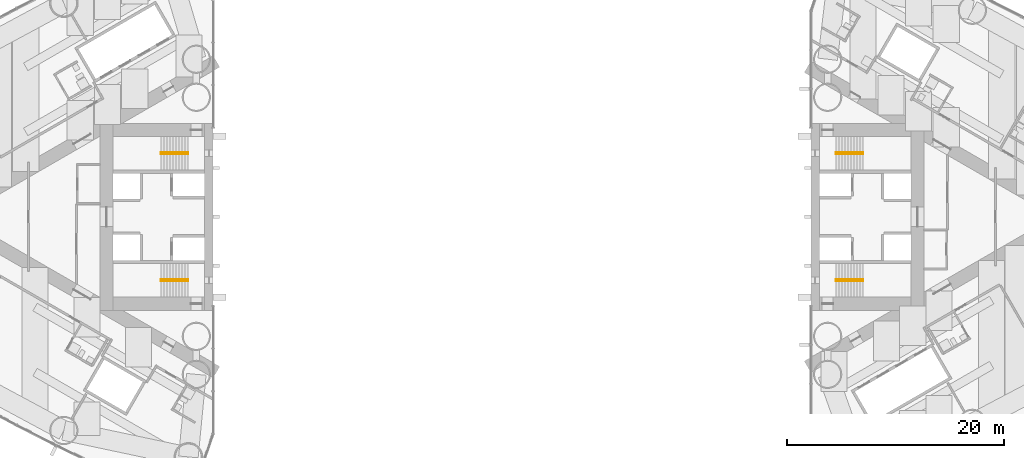
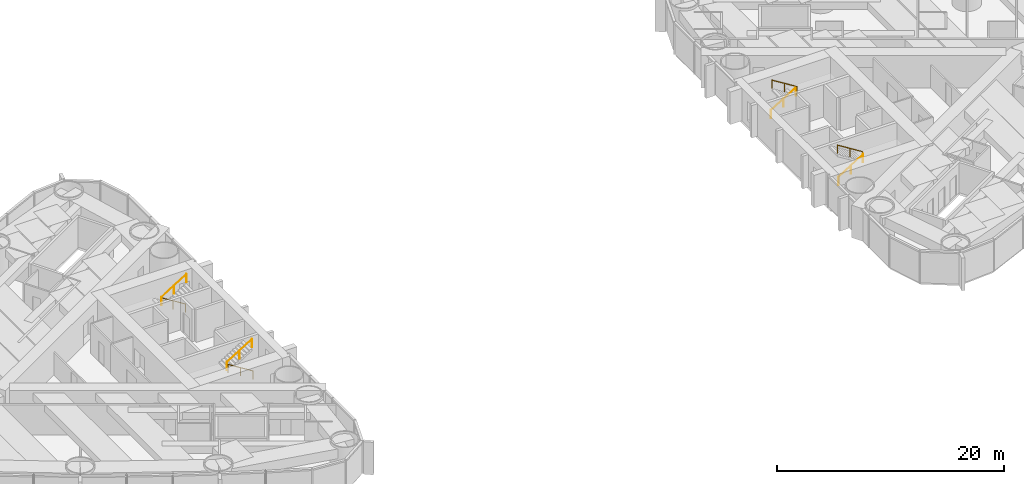
# One storey, part 17 of 18: 8 railings.
"""IFC4 building model written with IfcOpenShell, lengths in metres."""

from ifc_helpers import new_model, si_unit, direction, frame, origin, origin_2d, place, context, subcontext, project, spatial, circle, extrude, material, type_object, element, save


model = new_model("IFC4")

# Units and contexts
model_context = context("Model", 3, precision=1e-05, world=origin(), true_north=direction((0.0, 1.0)))
body_context = subcontext(model_context, "Body", "Model", "MODEL_VIEW")
ifc_project = project(units=[si_unit("LENGTHUNIT", "METRE"), si_unit("AREAUNIT", "SQUARE_METRE"), si_unit("VOLUMEUNIT", "CUBIC_METRE"), si_unit("PLANEANGLEUNIT", "RADIAN"), si_unit("MASSUNIT", "GRAM", prefix="KILO")], contexts=[model_context])

# Site, building, storey
site_placement = place(None, origin())
site = spatial("IfcSite", under=ifc_project, at=site_placement, CompositionType="ELEMENT")
building_placement = place(site_placement, origin())
building = spatial("IfcBuilding", under=site, at=building_placement, Name="Lancet Gate Hotel", CompositionType="ELEMENT")
storey_placement = place(building_placement, frame((0.0, 0.0, 104.60009765625)))
storey = spatial("IfcBuildingStorey", under=building, at=storey_placement, Name="L27", CompositionType="ELEMENT", Elevation=104.60009765625)

# Railings
ifc_material = material(Name="Stainless steel handrail", Category="steel")
railing_type = type_object("IfcRailingType", Name="Stair handrail 900", PredefinedType="HANDRAIL", material=ifc_material)
railing_1_placement = place(storey_placement, frame((-29.800048828125, 5.929931640625, 0.1748046875)))
element("IfcRailing", 1, at=railing_1_placement, inside=storey, type_object=railing_type, Name="ST1 handrail flight 1 L27", PredefinedType="HANDRAIL", context=body_context, shape_type="SweptSolid", body=[
    extrude(circle(Radius=0.02392578125, at=origin_2d()), frame((0.0, 0.0, 0.8759765625), z_axis=(-0.847970611238, 0.0, 0.530043245855), x_axis=(0.0, -1.0, 0.0)), (0.0, 0.0, 1.0), 2.971923828125),
    extrude(circle(Radius=0.02099609375, at=origin_2d()), origin(), (0.0, 0.0, 1.0), 0.851806640625),
    extrude(circle(Radius=0.02099609375, at=origin_2d()), frame((-1.260009765625, 0.0, 0.78759765625)), (0.0, 0.0, 1.0), 0.851806640625),
    extrude(circle(Radius=0.02099609375, at=origin_2d()), frame((-2.52001953125, 0.0, 1.5751953125)), (0.0, 0.0, 1.0), 0.851806640625),
])
railing_2_placement = place(storey_placement, frame((-32.320068359375, 5.77001953125, 1.9248046875)))
element("IfcRailing", 2, at=railing_2_placement, inside=storey, type_object=railing_type, Name="ST1 handrail flight 2 L27", PredefinedType="HANDRAIL", context=body_context, shape_type="SweptSolid", body=[
    extrude(circle(Radius=0.02392578125, at=origin_2d()), frame((0.0, 0.0, 0.8759765625), z_axis=(0.847970611238, 0.0, 0.530043245855), x_axis=(0.0, 1.0, 0.0)), (0.0, 0.0, 1.0), 2.971923828125),
    extrude(circle(Radius=0.02099609375, at=origin_2d()), origin(), (0.0, 0.0, 1.0), 0.851806640625),
    extrude(circle(Radius=0.02099609375, at=origin_2d()), frame((1.260009765625, 0.0, 0.78759765625)), (0.0, 0.0, 1.0), 0.851806640625),
    extrude(circle(Radius=0.02099609375, at=origin_2d()), frame((2.52001953125, 0.0, 1.5751953125)), (0.0, 0.0, 1.0), 0.851806640625),
])
railing_3_placement = place(storey_placement, frame((-29.800048828125, -5.929931640625, 0.1748046875)))
element("IfcRailing", 3, at=railing_3_placement, inside=storey, type_object=railing_type, Name="ST2 handrail flight 1 L27", PredefinedType="HANDRAIL", context=body_context, shape_type="SweptSolid", body=[
    extrude(circle(Radius=0.02392578125, at=origin_2d()), frame((0.0, 0.0, 0.8759765625), z_axis=(-0.847970611238, 0.0, 0.530043245855), x_axis=(0.0, -1.0, 0.0)), (0.0, 0.0, 1.0), 2.971923828125),
    extrude(circle(Radius=0.02099609375, at=origin_2d()), origin(), (0.0, 0.0, 1.0), 0.851806640625),
    extrude(circle(Radius=0.02099609375, at=origin_2d()), frame((-1.260009765625, 0.0, 0.78759765625)), (0.0, 0.0, 1.0), 0.851806640625),
    extrude(circle(Radius=0.02099609375, at=origin_2d()), frame((-2.52001953125, 0.0, 1.5751953125)), (0.0, 0.0, 1.0), 0.851806640625),
])
for number, where, name in (
    (4, (-32.320068359375, -5.77001953125, 1.9248046875), "ST2 handrail flight 2 L27"),
    (5, (29.800048828125, -5.929931640625, 0.1748046875), "ST3 handrail flight 1 L27"),
):
    element("IfcRailing", number, at=place(storey_placement, frame(where)), inside=storey, type_object=railing_type, Name=name, PredefinedType="HANDRAIL", context=body_context, shape_type="SweptSolid", body=[
        extrude(circle(Radius=0.02392578125, at=origin_2d()), frame((0.0, 0.0, 0.8759765625), z_axis=(0.847970611238, 0.0, 0.530043245855), x_axis=(0.0, 1.0, 0.0)), (0.0, 0.0, 1.0), 2.971923828125),
        extrude(circle(Radius=0.02099609375, at=origin_2d()), origin(), (0.0, 0.0, 1.0), 0.851806640625),
        extrude(circle(Radius=0.02099609375, at=origin_2d()), frame((1.260009765625, 0.0, 0.78759765625)), (0.0, 0.0, 1.0), 0.851806640625),
        extrude(circle(Radius=0.02099609375, at=origin_2d()), frame((2.52001953125, 0.0, 1.5751953125)), (0.0, 0.0, 1.0), 0.851806640625),
    ])
railing_4_placement = place(storey_placement, frame((32.320068359375, -5.77001953125, 1.9248046875)))
element("IfcRailing", 6, at=railing_4_placement, inside=storey, type_object=railing_type, Name="ST3 handrail flight 2 L27", PredefinedType="HANDRAIL", context=body_context, shape_type="SweptSolid", body=[
    extrude(circle(Radius=0.02392578125, at=origin_2d()), frame((0.0, 0.0, 0.8759765625), z_axis=(-0.847970611238, 0.0, 0.530043245855), x_axis=(0.0, -1.0, 0.0)), (0.0, 0.0, 1.0), 2.971923828125),
    extrude(circle(Radius=0.02099609375, at=origin_2d()), origin(), (0.0, 0.0, 1.0), 0.851806640625),
    extrude(circle(Radius=0.02099609375, at=origin_2d()), frame((-1.260009765625, 0.0, 0.78759765625)), (0.0, 0.0, 1.0), 0.851806640625),
    extrude(circle(Radius=0.02099609375, at=origin_2d()), frame((-2.52001953125, 0.0, 1.5751953125)), (0.0, 0.0, 1.0), 0.851806640625),
])
railing_5_placement = place(storey_placement, frame((29.800048828125, 5.929931640625, 0.1748046875)))
element("IfcRailing", 7, at=railing_5_placement, inside=storey, type_object=railing_type, Name="ST4 handrail flight 1 L27", PredefinedType="HANDRAIL", context=body_context, shape_type="SweptSolid", body=[
    extrude(circle(Radius=0.02392578125, at=origin_2d()), frame((0.0, 0.0, 0.8759765625), z_axis=(0.847970611238, 0.0, 0.530043245855), x_axis=(0.0, 1.0, 0.0)), (0.0, 0.0, 1.0), 2.971923828125),
    extrude(circle(Radius=0.02099609375, at=origin_2d()), origin(), (0.0, 0.0, 1.0), 0.851806640625),
    extrude(circle(Radius=0.02099609375, at=origin_2d()), frame((1.260009765625, 0.0, 0.78759765625)), (0.0, 0.0, 1.0), 0.851806640625),
    extrude(circle(Radius=0.02099609375, at=origin_2d()), frame((2.52001953125, 0.0, 1.5751953125)), (0.0, 0.0, 1.0), 0.851806640625),
])
railing_6_placement = place(storey_placement, frame((32.320068359375, 5.77001953125, 1.9248046875)))
element("IfcRailing", 8, at=railing_6_placement, inside=storey, type_object=railing_type, Name="ST4 handrail flight 2 L27", PredefinedType="HANDRAIL", context=body_context, shape_type="SweptSolid", body=[
    extrude(circle(Radius=0.02392578125, at=origin_2d()), frame((0.0, 0.0, 0.8759765625), z_axis=(-0.847970611238, 0.0, 0.530043245855), x_axis=(0.0, -1.0, 0.0)), (0.0, 0.0, 1.0), 2.971923828125),
    extrude(circle(Radius=0.02099609375, at=origin_2d()), origin(), (0.0, 0.0, 1.0), 0.851806640625),
    extrude(circle(Radius=0.02099609375, at=origin_2d()), frame((-1.260009765625, 0.0, 0.78759765625)), (0.0, 0.0, 1.0), 0.851806640625),
    extrude(circle(Radius=0.02099609375, at=origin_2d()), frame((-2.52001953125, 0.0, 1.5751953125)), (0.0, 0.0, 1.0), 0.851806640625),
])

save(model, "model.ifc")
